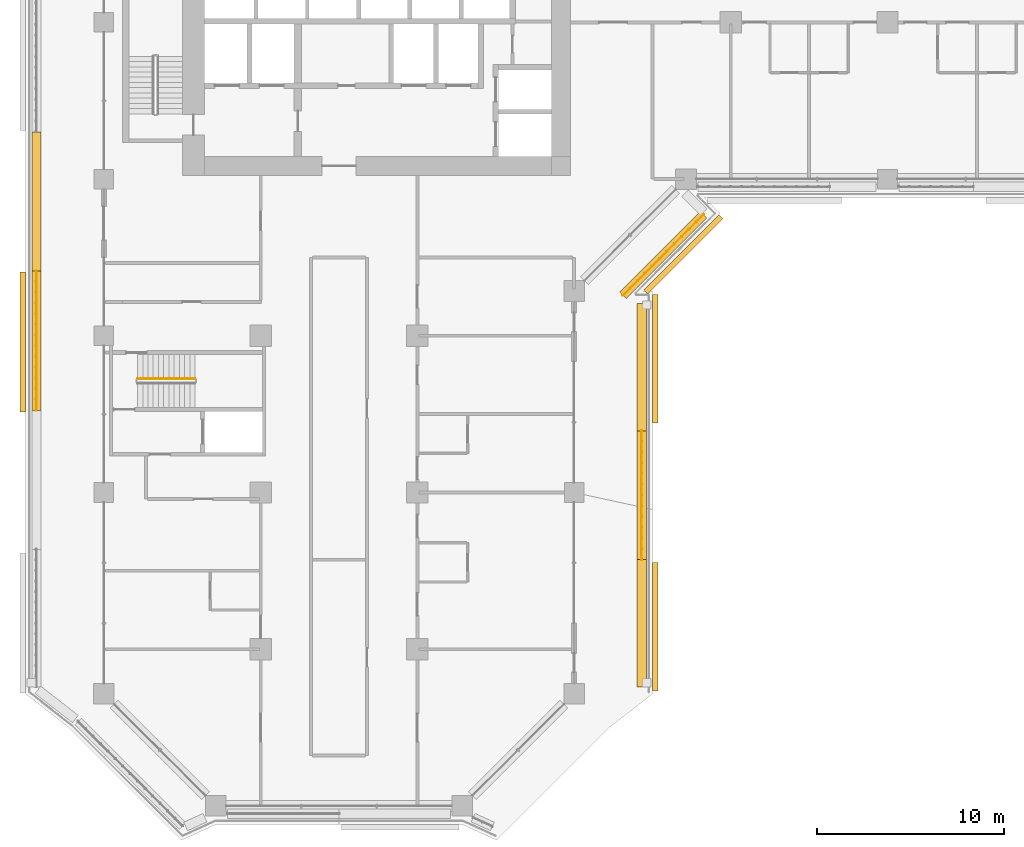
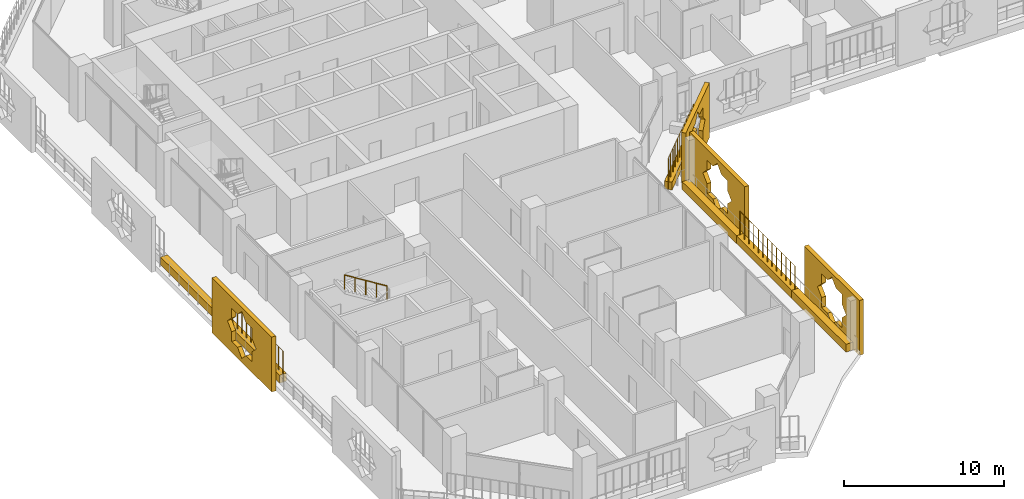
# One storey, part 20 of 25: 10 coverings, 4 railings.
"""IFC4 building model written with IfcOpenShell, lengths in metres."""

from ifc_helpers import new_model, si_unit, direction, frame, origin, origin_2d, place, context, subcontext, project, spatial, polyline, rectangle, circle, outline, extrude, material, material_profile, profile_set, type_object, element, save


model = new_model("IFC4")

# Units and contexts
model_context = context("Model", 3, precision=1e-05, world=origin(), true_north=direction((0.0, 1.0)))
body_context = subcontext(model_context, "Body", "Model", "MODEL_VIEW")
ifc_project = project(units=[si_unit("LENGTHUNIT", "METRE"), si_unit("AREAUNIT", "SQUARE_METRE"), si_unit("VOLUMEUNIT", "CUBIC_METRE"), si_unit("PLANEANGLEUNIT", "RADIAN"), si_unit("MASSUNIT", "GRAM", prefix="KILO")], contexts=[model_context])

# Site, building, storey
site_placement = place(None, origin())
site = spatial("IfcSite", under=ifc_project, at=site_placement, CompositionType="ELEMENT")
building_placement = place(site_placement, origin())
building = spatial("IfcBuilding", under=site, at=building_placement, Name="Kawkab Arch Medical Tower", CompositionType="ELEMENT")
storey_placement = place(building_placement, frame((0.0, 0.0, 140.800048828125)))
storey = spatial("IfcBuildingStorey", under=building, at=storey_placement, Name="L32", CompositionType="ELEMENT", Elevation=140.800048828125)

# Coverings
ifc_material_1 = material(Name="Bronze anodised aluminium mashrabiya panel, eight-point star pattern", Category="aluminium")
ifc_material_profile_1 = material_profile(ifc_material_1, outline(polyline([(-2.85009765625, -2.10009765625), (2.85009765625, -2.10009765625), (2.85009765625, 2.10009765625), (-2.85009765625, 2.10009765625), (-2.85009765625, -2.10009765625)]), holes=[polyline([(1.800048828125, 0.0), (1.272705078125, 0.527099609375), (1.272705078125, 1.272705078125), (0.527099609375, 1.272705078125), (0.0, 1.800048828125), (-0.527099609375, 1.272705078125), (-1.272705078125, 1.272705078125), (-1.272705078125, 0.527099609375), (-1.800048828125, 0.0), (-1.272705078125, -0.527099609375), (-1.272705078125, -1.272705078125), (-0.527099609375, -1.272705078125), (0.0, -1.800048828125), (0.527099609375, -1.272705078125), (1.272705078125, -1.272705078125), (1.272705078125, -0.527099609375), (1.800048828125, 0.0)])]), Name="Mashrabiya panel 5700x4200")
ifc_profile_set_1 = profile_set([ifc_material_profile_1], Name="Bronze anodised aluminium mashrabiya panel, eight-point star pattern")
covering_type_1 = type_object("IfcCoveringType", Name="Mashrabiya panel 5700 x 4200", PredefinedType="USERDEFINED", material=ifc_profile_set_1)
covering_1_placement = place(storey_placement, frame((30.94775390625, -29.128662109375, 1.699951171875), z_axis=(0.707106781187, -0.707106781187, 0.0), x_axis=(0.707106781187, 0.707106781187, 0.0)))
element("IfcCovering", 1, at=covering_1_placement, inside=storey, type_object=covering_type_1, Name="Mashrabiya panel L32.LOG-01-01.14", ObjectType="SCREEN", PredefinedType="USERDEFINED", context=body_context, shape_type="SweptSolid", body=[
    extrude(outline(polyline([(-2.85009765625, -2.10009765625), (2.85009765625, -2.10009765625), (2.85009765625, 2.10009765625), (-2.85009765625, 2.10009765625), (-2.85009765625, -2.10009765625)]), holes=[polyline([(1.800048828125, 0.0), (1.272705078125, 0.527099609375), (1.272705078125, 1.272705078125), (0.527099609375, 1.272705078125), (0.0, 1.800048828125), (-0.527099609375, 1.272705078125), (-1.272705078125, 1.272705078125), (-1.272705078125, 0.527099609375), (-1.800048828125, 0.0), (-1.272705078125, -0.527099609375), (-1.272705078125, -1.272705078125), (-0.527099609375, -1.272705078125), (0.0, -1.800048828125), (0.527099609375, -1.272705078125), (1.272705078125, -1.272705078125), (1.272705078125, -0.527099609375), (1.800048828125, 0.0)])]), origin(), (0.0, 0.0, 1.0), 0.300048828125),
])
ifc_material_2 = material(Name="Bronze anodised aluminium mashrabiya panel, eight-point star pattern", Category="aluminium")
ifc_material_profile_2 = material_profile(ifc_material_2, outline(polyline([(-3.449951171875, -2.10009765625), (3.449951171875, -2.10009765625), (3.449951171875, 2.10009765625), (-3.449951171875, 2.10009765625), (-3.449951171875, -2.10009765625)]), holes=[polyline([(1.800048828125, 0.0), (1.272705078125, 0.527099609375), (1.272705078125, 1.272705078125), (0.527099609375, 1.272705078125), (0.0, 1.800048828125), (-0.527099609375, 1.272705078125), (-1.272705078125, 1.272705078125), (-1.272705078125, 0.527099609375), (-1.800048828125, 0.0), (-1.272705078125, -0.527099609375), (-1.272705078125, -1.272705078125), (-0.527099609375, -1.272705078125), (0.0, -1.800048828125), (0.527099609375, -1.272705078125), (1.272705078125, -1.272705078125), (1.272705078125, -0.527099609375), (1.800048828125, 0.0)])]), Name="Mashrabiya panel 6900x4200")
ifc_profile_set_2 = profile_set([ifc_material_profile_2], Name="Bronze anodised aluminium mashrabiya panel, eight-point star pattern")
covering_type_2 = type_object("IfcCoveringType", Name="Mashrabiya panel 6900 x 4200", PredefinedType="USERDEFINED", material=ifc_profile_set_2)
for number, where, z_axis, x_axis, name in (
    (2, (29.39990234375, -34.827392578125, 1.699951171875), (1.0, 0.0, 0.0), (0.0, 1.0, 0.0), "Mashrabiya panel L32.LOG-01-01.15"),
    (3, (29.39990234375, -49.197509765625, 1.699951171875), (1.0, 0.0, 0.0), (0.0, 1.0, 0.0), "Mashrabiya panel L32.LOG-01-01.16"),
):
    element("IfcCovering", number, at=place(storey_placement, frame(where, z_axis=z_axis, x_axis=x_axis)), inside=storey, type_object=covering_type_2, Name=name, ObjectType="SCREEN", PredefinedType="USERDEFINED", context=body_context, shape_type="SweptSolid", body=[
        extrude(outline(polyline([(-3.449951171875, -2.10009765625), (3.449951171875, -2.10009765625), (3.449951171875, 2.10009765625), (-3.449951171875, 2.10009765625), (-3.449951171875, -2.10009765625)]), holes=[polyline([(1.800048828125, 0.0), (1.272705078125, 0.527099609375), (1.272705078125, 1.272705078125), (0.527099609375, 1.272705078125), (0.0, 1.800048828125), (-0.527099609375, 1.272705078125), (-1.272705078125, 1.272705078125), (-1.272705078125, 0.527099609375), (-1.800048828125, 0.0), (-1.272705078125, -0.527099609375), (-1.272705078125, -1.272705078125), (-0.527099609375, -1.272705078125), (0.0, -1.800048828125), (0.527099609375, -1.272705078125), (1.272705078125, -1.272705078125), (1.272705078125, -0.527099609375), (1.800048828125, 0.0)])]), origin(), (0.0, 0.0, 1.0), 0.300048828125),
    ])
ifc_material_3 = material(Name="Bronze anodised aluminium mashrabiya panel, eight-point star pattern", Category="aluminium")
ifc_material_profile_3 = material_profile(ifc_material_3, outline(polyline([(-3.75, -2.10009765625), (3.75, -2.10009765625), (3.75, 2.10009765625), (-3.75, 2.10009765625), (-3.75, -2.10009765625)]), holes=[polyline([(1.800048828125, 0.0), (1.272705078125, 0.527099609375), (1.272705078125, 1.272705078125), (0.527099609375, 1.272705078125), (0.0, 1.800048828125), (-0.527099609375, 1.272705078125), (-1.272705078125, 1.272705078125), (-1.272705078125, 0.527099609375), (-1.800048828125, 0.0), (-1.272705078125, -0.527099609375), (-1.272705078125, -1.272705078125), (-0.527099609375, -1.272705078125), (0.0, -1.800048828125), (0.527099609375, -1.272705078125), (1.272705078125, -1.272705078125), (1.272705078125, -0.527099609375), (1.800048828125, 0.0)])]), Name="Mashrabiya panel 7500x4200")
ifc_profile_set_3 = profile_set([ifc_material_profile_3], Name="Bronze anodised aluminium mashrabiya panel, eight-point star pattern")
covering_type_3 = type_object("IfcCoveringType", Name="Mashrabiya panel 7500 x 4200", PredefinedType="USERDEFINED", material=ifc_profile_set_3)
covering_2_placement = place(storey_placement, frame((-4.199951171875, -33.94140625, 1.699951171875), z_axis=(-1.0, 0.0, 0.0), x_axis=(0.0, -1.0, 0.0)))
element("IfcCovering", 4, at=covering_2_placement, inside=storey, type_object=covering_type_3, Name="Mashrabiya panel L32.LOG-01-01.3", ObjectType="SCREEN", PredefinedType="USERDEFINED", context=body_context, shape_type="SweptSolid", body=[
    extrude(outline(polyline([(-3.75, -2.10009765625), (3.75, -2.10009765625), (3.75, 2.10009765625), (-3.75, 2.10009765625), (-3.75, -2.10009765625)]), holes=[polyline([(1.800048828125, 0.0), (1.272705078125, 0.527099609375), (1.272705078125, 1.272705078125), (0.527099609375, 1.272705078125), (0.0, 1.800048828125), (-0.527099609375, 1.272705078125), (-1.272705078125, 1.272705078125), (-1.272705078125, 0.527099609375), (-1.800048828125, 0.0), (-1.272705078125, -0.527099609375), (-1.272705078125, -1.272705078125), (-0.527099609375, -1.272705078125), (0.0, -1.800048828125), (0.527099609375, -1.272705078125), (1.272705078125, -1.272705078125), (1.272705078125, -0.527099609375), (1.800048828125, 0.0)])]), origin(), (0.0, 0.0, 1.0), 0.300048828125),
])
ifc_material_4 = material(Name="Planting soil in a precast trough", Category="concrete")
ifc_material_profile_4 = material_profile(ifc_material_4, rectangle(XDim=0.5, YDim=0.60009765625, at=origin_2d()), Name="Trough 500x600")
ifc_profile_set_4 = profile_set([ifc_material_profile_4], Name="Planting soil in a precast trough")
covering_type_4 = type_object("IfcCoveringType", Name="Planter trough 500 x 600", PredefinedType="USERDEFINED", material=ifc_profile_set_4)
covering_3_placement = place(storey_placement, frame((-3.6201171875, -37.593017578125, 0.300048828125), z_axis=(0.0, 1.0, 0.0), x_axis=(-1.0, 0.0, 0.0)))
element("IfcCovering", 5, at=covering_3_placement, inside=storey, type_object=covering_type_4, Name="Planter L32.LOG-01-01.9", ObjectType="PLANTER", PredefinedType="USERDEFINED", context=body_context, shape_type="SweptSolid", body=[
    extrude(rectangle(XDim=0.5, YDim=0.60009765625, at=origin_2d()), origin(), (0.0, 0.0, 1.0), 7.4619140625),
])
covering_4_placement = place(storey_placement, frame((-3.6201171875, -30.131103515625, 0.300048828125), z_axis=(0.0, 1.0, 0.0), x_axis=(-1.0, 0.0, 0.0)))
element("IfcCovering", 6, at=covering_4_placement, inside=storey, type_object=covering_type_4, Name="Planter L32.LOG-01-01.10", ObjectType="PLANTER", PredefinedType="USERDEFINED", context=body_context, shape_type="SweptSolid", body=[
    extrude(rectangle(XDim=0.5, YDim=0.60009765625, at=origin_2d()), origin(), (0.0, 0.0, 1.0), 7.462158203125),
])
covering_5_placement = place(storey_placement, frame((32.14697265625, -27.10888671875, 0.300048828125), z_axis=(-0.707007043994, -0.707206504313, 0.0), x_axis=(0.707206504313, -0.707007043994, 0.0)))
element("IfcCovering", 7, at=covering_5_placement, inside=storey, type_object=covering_type_4, Name="Planter L32.LOG-01-01.43", ObjectType="PLANTER", PredefinedType="USERDEFINED", context=body_context, shape_type="SweptSolid", body=[
    extrude(rectangle(XDim=0.5, YDim=0.60009765625, at=origin_2d()), origin(), (0.0, 0.0, 1.0), 6.1201171875),
])
covering_6_placement = place(storey_placement, frame((28.820068359375, -31.8798828125, 0.300048828125), z_axis=(0.0, -1.0, 0.0), x_axis=(1.0, 0.0, 0.0)))
element("IfcCovering", 8, at=covering_6_placement, inside=storey, type_object=covering_type_4, Name="Planter L32.LOG-01-01.44", ObjectType="PLANTER", PredefinedType="USERDEFINED", context=body_context, shape_type="SweptSolid", body=[
    extrude(rectangle(XDim=0.5, YDim=0.60009765625, at=origin_2d()), origin(), (0.0, 0.0, 1.0), 6.81201171875),
])
covering_7_placement = place(storey_placement, frame((28.820068359375, -38.69189453125, 0.300048828125), z_axis=(0.0, -1.0, 0.0), x_axis=(1.0, 0.0, 0.0)))
element("IfcCovering", 9, at=covering_7_placement, inside=storey, type_object=covering_type_4, Name="Planter L32.LOG-01-01.45", ObjectType="PLANTER", PredefinedType="USERDEFINED", context=body_context, shape_type="SweptSolid", body=[
    extrude(rectangle(XDim=0.5, YDim=0.60009765625, at=origin_2d()), origin(), (0.0, 0.0, 1.0), 6.912109375),
])
covering_8_placement = place(storey_placement, frame((28.820068359375, -45.60400390625, 0.300048828125), z_axis=(0.0, -1.0, 0.0), x_axis=(1.0, 0.0, 0.0)))
element("IfcCovering", 10, at=covering_8_placement, inside=storey, type_object=covering_type_4, Name="Planter L32.LOG-01-01.46", ObjectType="PLANTER", PredefinedType="USERDEFINED", context=body_context, shape_type="SweptSolid", body=[
    extrude(rectangle(XDim=0.5, YDim=0.60009765625, at=origin_2d()), origin(), (0.0, 0.0, 1.0), 6.81201171875),
])

# Railings
ifc_material_5 = material(Name="Bronze anodised aluminium trellis for climbing plants", Category="aluminium")
railing_type_1 = type_object("IfcRailingType", Name="Planting trellis 2400", PredefinedType="USERDEFINED", material=ifc_material_5)
railing_1_placement = place(storey_placement, frame((-3.6201171875, -37.593017578125, 0.0)))
element("IfcRailing", 11, at=railing_1_placement, inside=storey, type_object=railing_type_1, Name="Planting trellis L32.LOG-01-01.9", ObjectType="TRELLIS", PredefinedType="USERDEFINED", context=body_context, shape_type="SweptSolid", body=[
    extrude(circle(Radius=0.01513671875, at=origin_2d()), frame((0.0, 0.0, 2.384765625), z_axis=(0.0, 1.0, 0.0), x_axis=(-1.0, 0.0, 0.0)), (0.0, 0.0, 1.0), 7.4619140625),
    extrude(circle(Radius=0.030029296875, at=origin_2d()), origin(), (0.0, 0.0, 1.0), 2.369873046875),
    extrude(circle(Radius=0.030029296875, at=origin_2d()), frame((0.0, 0.573974609375, 0.0)), (0.0, 0.0, 1.0), 2.369873046875),
    extrude(circle(Radius=0.030029296875, at=origin_2d()), frame((0.0, 1.14794921875, 0.0)), (0.0, 0.0, 1.0), 2.369873046875),
    extrude(circle(Radius=0.030029296875, at=origin_2d()), frame((0.0, 1.721923828125, 0.0)), (0.0, 0.0, 1.0), 2.369873046875),
    extrude(circle(Radius=0.030029296875, at=origin_2d()), frame((0.0, 2.2958984375, 0.0)), (0.0, 0.0, 1.0), 2.369873046875),
    extrude(circle(Radius=0.030029296875, at=origin_2d()), frame((0.0, 2.869873046875, 0.0)), (0.0, 0.0, 1.0), 2.369873046875),
    extrude(circle(Radius=0.030029296875, at=origin_2d()), frame((0.0, 3.44384765625, 0.0)), (0.0, 0.0, 1.0), 2.369873046875),
    extrude(circle(Radius=0.030029296875, at=origin_2d()), frame((0.0, 4.01806640625, 0.0)), (0.0, 0.0, 1.0), 2.369873046875),
    extrude(circle(Radius=0.030029296875, at=origin_2d()), frame((0.0, 4.592041015625, 0.0)), (0.0, 0.0, 1.0), 2.369873046875),
    extrude(circle(Radius=0.030029296875, at=origin_2d()), frame((0.0, 5.166015625, 0.0)), (0.0, 0.0, 1.0), 2.369873046875),
    extrude(circle(Radius=0.030029296875, at=origin_2d()), frame((0.0, 5.739990234375, 0.0)), (0.0, 0.0, 1.0), 2.369873046875),
    extrude(circle(Radius=0.030029296875, at=origin_2d()), frame((0.0, 6.31396484375, 0.0)), (0.0, 0.0, 1.0), 2.369873046875),
    extrude(circle(Radius=0.030029296875, at=origin_2d()), frame((0.0, 6.887939453125, 0.0)), (0.0, 0.0, 1.0), 2.369873046875),
    extrude(circle(Radius=0.030029296875, at=origin_2d()), frame((0.0, 7.4619140625, 0.0)), (0.0, 0.0, 1.0), 2.369873046875),
])
railing_2_placement = place(storey_placement, frame((32.14697265625, -27.10888671875, 0.0)))
element("IfcRailing", 12, at=railing_2_placement, inside=storey, type_object=railing_type_1, Name="Planting trellis L32.LOG-01-01.43", ObjectType="TRELLIS", PredefinedType="USERDEFINED", context=body_context, shape_type="SweptSolid", body=[
    extrude(circle(Radius=0.01513671875, at=origin_2d()), frame((0.0, 0.0, 2.384765625), z_axis=(-0.707007043994, -0.707206504313, 0.0), x_axis=(0.707206504313, -0.707007043994, 0.0)), (0.0, 0.0, 1.0), 6.1201171875),
    extrude(circle(Radius=0.030029296875, at=origin_2d()), origin(), (0.0, 0.0, 1.0), 2.369873046875),
    extrude(circle(Radius=0.030029296875, at=origin_2d()), frame((-0.393310546875, -0.3935546875, 0.0)), (0.0, 0.0, 1.0), 2.369873046875),
    extrude(circle(Radius=0.030029296875, at=origin_2d()), frame((-0.78662109375, -0.786865234375, 0.0)), (0.0, 0.0, 1.0), 2.369873046875),
    extrude(circle(Radius=0.030029296875, at=origin_2d()), frame((-1.18017578125, -1.180419921875, 0.0)), (0.0, 0.0, 1.0), 2.369873046875),
    extrude(circle(Radius=0.030029296875, at=origin_2d()), frame((-1.573486328125, -1.573974609375, 0.0)), (0.0, 0.0, 1.0), 2.369873046875),
    extrude(circle(Radius=0.030029296875, at=origin_2d()), frame((-1.966796875, -1.96728515625, 0.0)), (0.0, 0.0, 1.0), 2.369873046875),
    extrude(circle(Radius=0.030029296875, at=origin_2d()), frame((-2.360107421875, -2.36083984375, 0.0)), (0.0, 0.0, 1.0), 2.369873046875),
    extrude(circle(Radius=0.030029296875, at=origin_2d()), frame((-2.75341796875, -2.754150390625, 0.0)), (0.0, 0.0, 1.0), 2.369873046875),
    extrude(circle(Radius=0.030029296875, at=origin_2d()), frame((-3.146728515625, -3.147705078125, 0.0)), (0.0, 0.0, 1.0), 2.369873046875),
    extrude(circle(Radius=0.030029296875, at=origin_2d()), frame((-3.540283203125, -3.541259765625, 0.0)), (0.0, 0.0, 1.0), 2.369873046875),
    extrude(circle(Radius=0.030029296875, at=origin_2d()), frame((-3.93359375, -3.9345703125, 0.0)), (0.0, 0.0, 1.0), 2.369873046875),
    extrude(circle(Radius=0.030029296875, at=origin_2d()), frame((-4.326904296875, -4.328125, 0.0)), (0.0, 0.0, 1.0), 2.369873046875),
])
railing_3_placement = place(storey_placement, frame((28.820068359375, -38.69189453125, 0.0)))
element("IfcRailing", 13, at=railing_3_placement, inside=storey, type_object=railing_type_1, Name="Planting trellis L32.LOG-01-01.45", ObjectType="TRELLIS", PredefinedType="USERDEFINED", context=body_context, shape_type="SweptSolid", body=[
    extrude(circle(Radius=0.01513671875, at=origin_2d()), frame((0.0, 0.0, 2.384765625), z_axis=(0.0, -1.0, 0.0), x_axis=(1.0, 0.0, 0.0)), (0.0, 0.0, 1.0), 6.912109375),
    extrude(circle(Radius=0.030029296875, at=origin_2d()), origin(), (0.0, 0.0, 1.0), 2.369873046875),
    extrude(circle(Radius=0.030029296875, at=origin_2d()), frame((0.0, -0.575927734375, 0.0)), (0.0, 0.0, 1.0), 2.369873046875),
    extrude(circle(Radius=0.030029296875, at=origin_2d()), frame((0.0, -1.152099609375, 0.0)), (0.0, 0.0, 1.0), 2.369873046875),
    extrude(circle(Radius=0.030029296875, at=origin_2d()), frame((0.0, -1.72802734375, 0.0)), (0.0, 0.0, 1.0), 2.369873046875),
    extrude(circle(Radius=0.030029296875, at=origin_2d()), frame((0.0, -2.303955078125, 0.0)), (0.0, 0.0, 1.0), 2.369873046875),
    extrude(circle(Radius=0.030029296875, at=origin_2d()), frame((0.0, -2.880126953125, 0.0)), (0.0, 0.0, 1.0), 2.369873046875),
    extrude(circle(Radius=0.030029296875, at=origin_2d()), frame((0.0, -3.4560546875, 0.0)), (0.0, 0.0, 1.0), 2.369873046875),
    extrude(circle(Radius=0.030029296875, at=origin_2d()), frame((0.0, -4.031982421875, 0.0)), (0.0, 0.0, 1.0), 2.369873046875),
    extrude(circle(Radius=0.030029296875, at=origin_2d()), frame((0.0, -4.608154296875, 0.0)), (0.0, 0.0, 1.0), 2.369873046875),
    extrude(circle(Radius=0.030029296875, at=origin_2d()), frame((0.0, -5.18408203125, 0.0)), (0.0, 0.0, 1.0), 2.369873046875),
    extrude(circle(Radius=0.030029296875, at=origin_2d()), frame((0.0, -5.760009765625, 0.0)), (0.0, 0.0, 1.0), 2.369873046875),
    extrude(circle(Radius=0.030029296875, at=origin_2d()), frame((0.0, -6.336181640625, 0.0)), (0.0, 0.0, 1.0), 2.369873046875),
    extrude(circle(Radius=0.030029296875, at=origin_2d()), frame((0.0, -6.912109375, 0.0)), (0.0, 0.0, 1.0), 2.369873046875),
])
ifc_material_6 = material(Name="Stainless steel", Category="steel")
railing_type_2 = type_object("IfcRailingType", Name="Stair guard 1100", PredefinedType="GUARDRAIL", material=ifc_material_6)
railing_4_placement = place(storey_placement, frame((4.8798828125, -35.89990234375, 2.27490234375)))
element("IfcRailing", 14, at=railing_4_placement, inside=storey, type_object=railing_type_2, Name="L32 ST6 stair guard 3", PredefinedType="GUARDRAIL", context=body_context, shape_type="SweptSolid", body=[
    extrude(circle(Radius=0.02392578125, at=origin_2d()), frame((0.0, 0.0, 1.076171875), z_axis=(-0.847979421464, 0.0, 0.530029150871), x_axis=(0.0, -1.0, 0.0)), (0.0, 0.0, 1.0), 3.632080078125),
    extrude(circle(Radius=0.02099609375, at=origin_2d()), origin(), (0.0, 0.0, 1.0), 1.052001953125),
    extrude(circle(Radius=0.02099609375, at=origin_2d()), frame((-0.77001953125, 0.0, 0.481201171875)), (0.0, 0.0, 1.0), 1.052001953125),
    extrude(circle(Radius=0.02099609375, at=origin_2d()), frame((-1.5400390625, 0.0, 0.96240234375)), (0.0, 0.0, 1.0), 1.052001953125),
    extrude(circle(Radius=0.02099609375, at=origin_2d()), frame((-2.309814453125, 0.0, 1.44384765625)), (0.0, 0.0, 1.0), 1.052001953125),
    extrude(circle(Radius=0.02099609375, at=origin_2d()), frame((-3.079833984375, 0.0, 1.925048828125)), (0.0, 0.0, 1.0), 1.052001953125),
])

save(model, "model.ifc")
